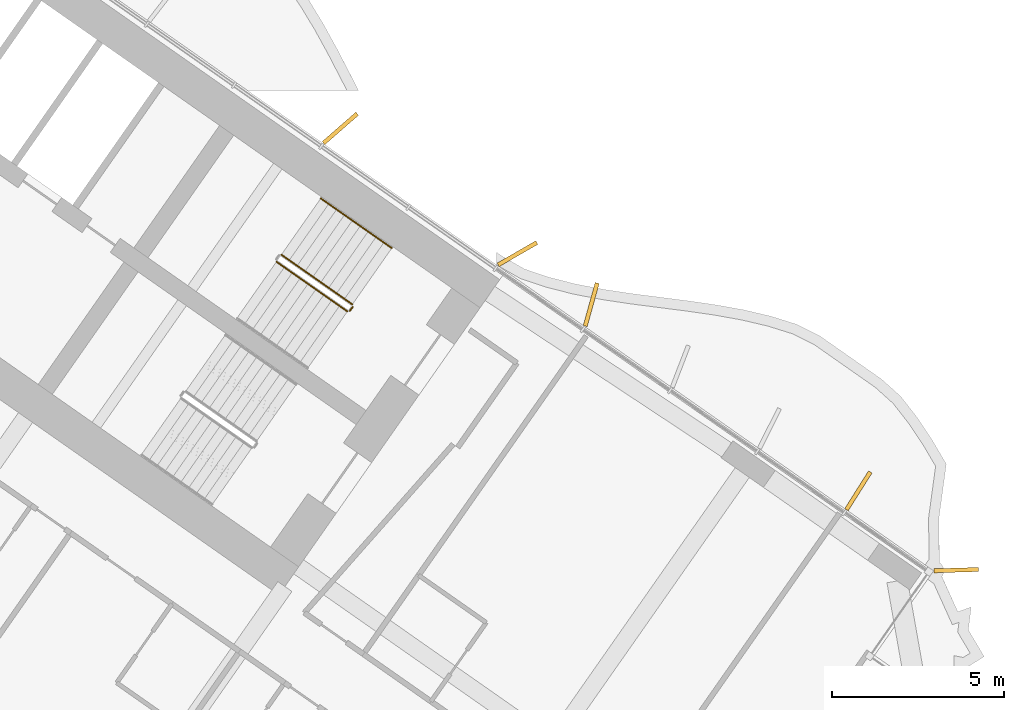
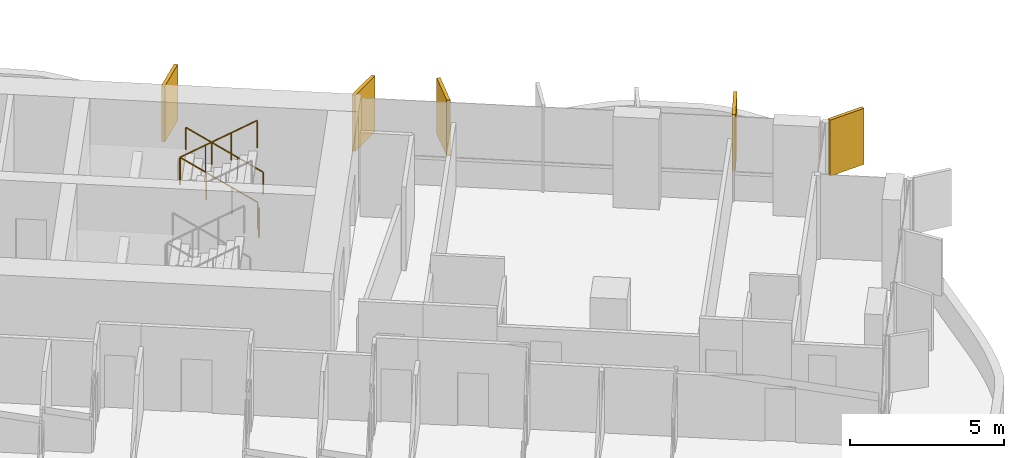
# One storey, part 24 of 25: 5 shading devices, 4 railings.
"""IFC4 building model written with IfcOpenShell, lengths in metres."""

from ifc_helpers import new_model, si_unit, direction, frame, origin, origin_2d, place, context, subcontext, project, spatial, rectangle, circle, extrude, material, layer, layer_set, type_object, element, save


model = new_model("IFC4")

# Units and contexts
model_context = context("Model", 3, precision=1e-05, world=origin(), true_north=direction((0.0, 1.0)))
body_context = subcontext(model_context, "Body", "Model", "MODEL_VIEW")
ifc_project = project(units=[si_unit("LENGTHUNIT", "METRE"), si_unit("AREAUNIT", "SQUARE_METRE"), si_unit("VOLUMEUNIT", "CUBIC_METRE"), si_unit("PLANEANGLEUNIT", "RADIAN"), si_unit("MASSUNIT", "GRAM", prefix="KILO")], contexts=[model_context])

# Site, building, storey
site_placement = place(None, origin())
site = spatial("IfcSite", under=ifc_project, at=site_placement, CompositionType="ELEMENT")
building_placement = place(site_placement, origin())
building = spatial("IfcBuilding", under=site, at=building_placement, Name="Tel Ilan Convention Tower", CompositionType="ELEMENT")
storey_placement = place(building_placement, frame((0.0, 0.0, 97.699951171875)))
storey = spatial("IfcBuildingStorey", under=building, at=storey_placement, Name="L20", CompositionType="ELEMENT", Elevation=97.699951171875)

# Shading devices
ifc_material_1 = material(Name="Aluminium, bronze anodised", Category="aluminium")
ifc_layer = layer(ifc_material_1, 0.1201171875)
ifc_layer_set = layer_set([ifc_layer], Name="FIN BRONZE 1300x120")
shading_device_type = type_object("IfcShadingDeviceType", Name="FIN BRONZE 1300x120", PredefinedType="USERDEFINED", material=ifc_layer_set)
for number, where, z_axis, x_axis, name in (
    (1, (28.4833984375, -6.376708984375, 1.10009765625), (0.0, 0.0, 1.0), (0.866025403784, 0.5, 0.0), "FIN"),
    (2, (23.330078125, -2.73046875, 1.10009765625), (0.0, 0.0, 1.0), (0.753435896329, 0.657521368568, 0.0), "FIN"),
    (3, (41.24853515625, -15.58349609375, 1.10009765625), (0.0, 0.0, 1.0), (0.999576950082, 0.029084718749, 0.0), "FIN"),
    (4, (38.40185546875, -13.275634765625, 1.10009765625), (0.0, 0.0, 1.0), (0.533204432798, 0.845986425922, 0.0), "FIN"),
    (5, (30.628662109375, -7.856201171875, 1.10009765625), (0.0, 0.0, 1.0), (0.268172612768, 0.963370878614, 0.0), "FIN"),
):
    element("IfcShadingDevice", number, at=place(storey_placement, frame(where, z_axis=z_axis, x_axis=x_axis)), inside=storey, type_object=shading_device_type, Name=name, ObjectType="FIN", PredefinedType="USERDEFINED", context=body_context, shape_type="SweptSolid", body=[
        extrude(rectangle(XDim=1.300048828125, YDim=0.1201171875, at=origin_2d()), origin(), (0.0, 0.0, 1.0), 2.219970703125),
    ])

# Railings
ifc_material_2 = material(Name="Stainless Steel Grade 316", Category="steel")
railing_type_1 = type_object("IfcRailingType", Name="Stainless Steel Stair Guard 1100 mm", PredefinedType="GUARDRAIL", material=ifc_material_2)
railing_1_placement = place(storey_placement, frame((23.6787109375, -7.8515625, 0.179931640625)))
element("IfcRailing", 6, at=railing_1_placement, inside=storey, type_object=railing_type_1, Name="L20 S3 stair guard 1", PredefinedType="GUARDRAIL", context=body_context, shape_type="SweptSolid", body=[
    extrude(circle(Radius=0.02392578125, at=origin_2d()), frame((0.0, 0.0, 1.076171875), z_axis=(-0.689013013563, 0.482512838948, 0.540779462804), x_axis=(-0.573624882958, -0.819118119475, 0.0)), (0.0, 0.0, 1.0), 2.995849609375),
    extrude(circle(Radius=0.02099609375, at=origin_2d()), origin(), (0.0, 0.0, 1.0), 1.052001953125),
    extrude(circle(Radius=0.02099609375, at=origin_2d()), frame((-0.68798828125, 0.48193359375, 0.5400390625)), (0.0, 0.0, 1.0), 1.052001953125),
    extrude(circle(Radius=0.02099609375, at=origin_2d()), frame((-1.376220703125, 0.963623046875, 1.080078125)), (0.0, 0.0, 1.0), 1.052001953125),
    extrude(circle(Radius=0.02099609375, at=origin_2d()), frame((-2.064208984375, 1.445556640625, 1.6201171875)), (0.0, 0.0, 1.0), 1.052001953125),
])
railing_2_placement = place(storey_placement, frame((21.47119140625, -6.61083984375, 1.97998046875)))
element("IfcRailing", 7, at=railing_2_placement, inside=storey, type_object=railing_type_1, Name="L20 S3 stair guard 3", PredefinedType="GUARDRAIL", context=body_context, shape_type="SweptSolid", body=[
    extrude(circle(Radius=0.02392578125, at=origin_2d()), frame((0.0, 0.0, 1.076171875), z_axis=(0.689013013563, -0.482512838948, 0.540779462804), x_axis=(0.573624882958, 0.819118119475, 0.0)), (0.0, 0.0, 1.0), 2.995849609375),
    extrude(circle(Radius=0.02099609375, at=origin_2d()), origin(), (0.0, 0.0, 1.0), 1.052001953125),
    extrude(circle(Radius=0.02099609375, at=origin_2d()), frame((0.68798828125, -0.48193359375, 0.5400390625)), (0.0, 0.0, 1.0), 1.052001953125),
    extrude(circle(Radius=0.02099609375, at=origin_2d()), frame((1.376220703125, -0.963623046875, 1.080078125)), (0.0, 0.0, 1.0), 1.052001953125),
    extrude(circle(Radius=0.02099609375, at=origin_2d()), frame((2.064208984375, -1.445556640625, 1.6201171875)), (0.0, 0.0, 1.0), 1.052001953125),
])
railing_3_placement = place(storey_placement, frame((23.691162109375, -7.921142578125, 0.0)))
element("IfcRailing", 8, at=railing_3_placement, inside=storey, type_object=railing_type_1, Name="L20 S3 stair guard 4", PredefinedType="GUARDRAIL", context=body_context, shape_type="SweptSolid", body=[
    extrude(circle(Radius=0.02392578125, at=origin_2d()), frame((0.0, 0.0, 1.076171875), z_axis=(-0.574444878118, -0.818543268254, 0.0), x_axis=(0.818543268254, -0.574444878118, 0.0)), (0.0, 0.0, 1.0), 0.150146484375),
    extrude(circle(Radius=0.02099609375, at=origin_2d()), origin(), (0.0, 0.0, 1.0), 1.052001953125),
    extrude(circle(Radius=0.02099609375, at=origin_2d()), frame((-0.086181640625, -0.122802734375, 0.0)), (0.0, 0.0, 1.0), 1.052001953125),
])
ifc_material_3 = material(Name="Stainless Steel Grade 316", Category="steel")
railing_type_2 = type_object("IfcRailingType", Name="Stainless Steel Stair Handrail 900 mm", PredefinedType="HANDRAIL", material=ifc_material_3)
railing_4_placement = place(storey_placement, frame((24.825927734375, -6.213134765625, 0.179931640625)))
element("IfcRailing", 9, at=railing_4_placement, inside=storey, type_object=railing_type_2, Name="L20 S3 stair handrail 1", PredefinedType="HANDRAIL", context=body_context, shape_type="SweptSolid", body=[
    extrude(circle(Radius=0.02392578125, at=origin_2d()), frame((0.0, 0.0, 0.8759765625), z_axis=(-0.689040105437, 0.482450316285, 0.54080072616), x_axis=(-0.573559875649, -0.819163639968, 0.0)), (0.0, 0.0, 1.0), 2.995849609375),
    extrude(circle(Radius=0.02099609375, at=origin_2d()), origin(), (0.0, 0.0, 1.0), 0.851806640625),
    extrude(circle(Radius=0.02099609375, at=origin_2d()), frame((-0.68798828125, 0.481689453125, 0.5400390625)), (0.0, 0.0, 1.0), 0.851806640625),
    extrude(circle(Radius=0.02099609375, at=origin_2d()), frame((-1.376220703125, 0.963623046875, 1.080078125)), (0.0, 0.0, 1.0), 0.851806640625),
    extrude(circle(Radius=0.02099609375, at=origin_2d()), frame((-2.064208984375, 1.4453125, 1.6201171875)), (0.0, 0.0, 1.0), 0.851806640625),
])

save(model, "model.ifc")
